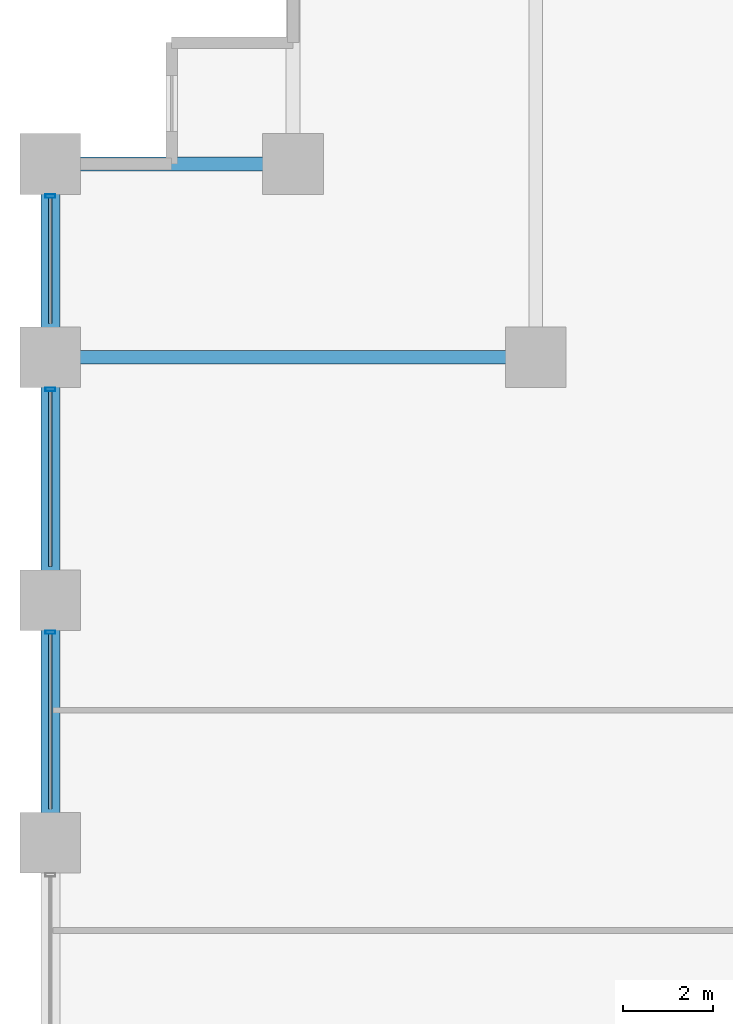
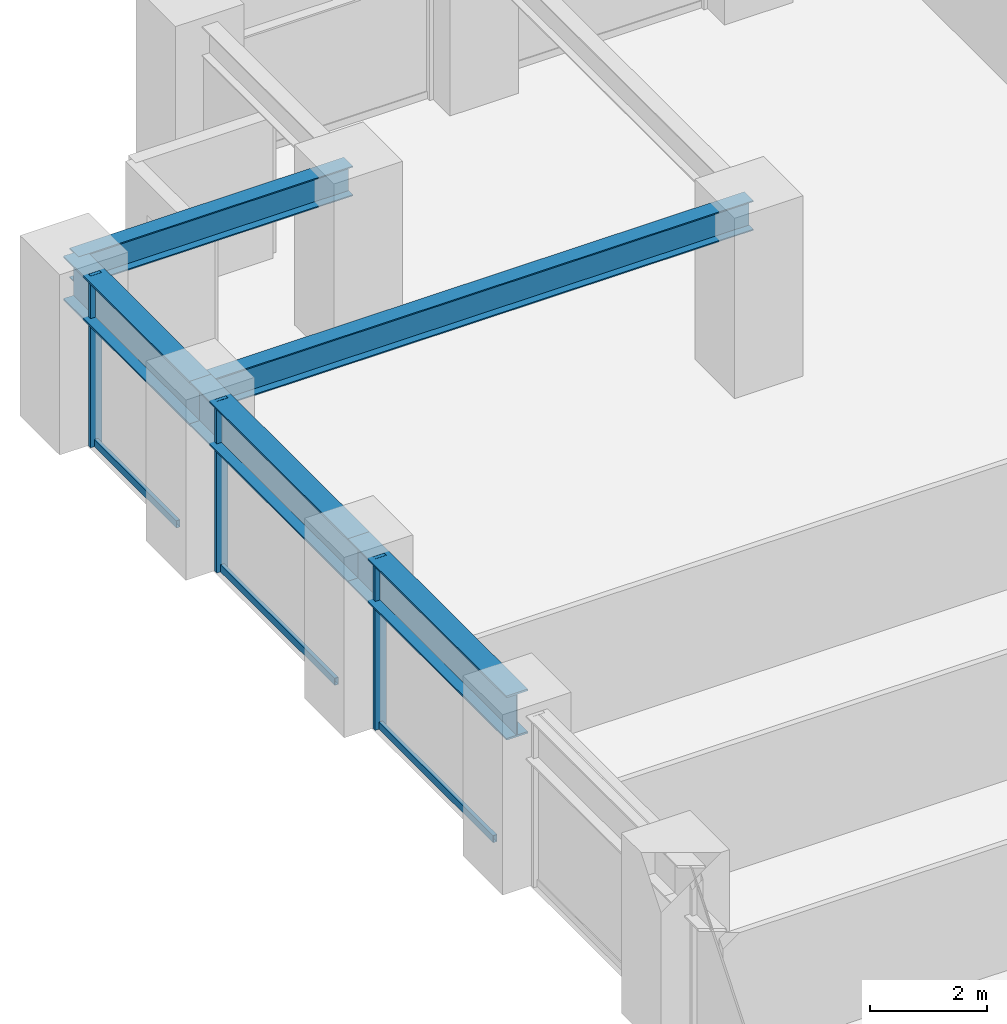
# One storey, part 10 of 25: 6 members, 5 beams, 1 element without a shape of its own.
"""IFC4 building model written with IfcOpenShell, lengths in metres."""

from ifc_helpers import new_model, si_unit, direction, frame, origin, origin_2d, place, context, subcontext, project, spatial, hollow_rectangle, i_section, extrude, material, layer, layer_set, material_profile, profile_set, type_object, element, aggregate, save


model = new_model("IFC4")

# Units and contexts
model_context = context("Model", 3, precision=1e-05, world=origin(), true_north=direction((0.0, 1.0)))
body_context = subcontext(model_context, "Body", "Model", "MODEL_VIEW")
ifc_project = project(units=[si_unit("LENGTHUNIT", "METRE"), si_unit("AREAUNIT", "SQUARE_METRE"), si_unit("VOLUMEUNIT", "CUBIC_METRE"), si_unit("PLANEANGLEUNIT", "RADIAN"), si_unit("MASSUNIT", "GRAM", prefix="KILO")], contexts=[model_context])

# Site, building, storey
site_placement = place(None, origin())
site = spatial("IfcSite", under=ifc_project, at=site_placement, CompositionType="ELEMENT")
building_placement = place(site_placement, origin())
building = spatial("IfcBuilding", under=site, at=building_placement, Name="Surkhivell Harbour Commons", CompositionType="ELEMENT")
storey_placement = place(building_placement, frame((0.0, 0.0, 37.5)))
storey = spatial("IfcBuildingStorey", under=building, at=storey_placement, Name="L09", CompositionType="ELEMENT", Elevation=37.5)

# Beams
ifc_material_1 = material(Name="Steel S355", Category="steel")
ifc_material_profile_1 = material_profile(ifc_material_1, i_section(OverallWidth=0.306884765625, OverallDepth=0.6201171875, WebThickness=0.01416015625, FlangeThickness=0.023681640625, at=origin_2d()), Name="UB610x305x179")
ifc_profile_set_1 = profile_set([ifc_material_profile_1], Name="Steel S355")
beam_type_1 = type_object("IfcBeamType", Name="BM-GRD-610A", PredefinedType="BEAM", material=ifc_profile_set_1)
beam_1_placement = place(storey_placement, frame((-32.39990234375, 16.199951171875, 3.260009765625), z_axis=(1.0, 0.0, 0.0), x_axis=(0.0, 1.0, 0.0)))
element("IfcBeam", 1, at=beam_1_placement, inside=storey, type_object=beam_type_1, Name="L09 Floor Girder (-32.4,16.2)", PredefinedType="BEAM", context=body_context, shape_type="SweptSolid", body=[
    extrude(i_section(OverallWidth=0.306884765625, OverallDepth=0.6201171875, WebThickness=0.01416015625, FlangeThickness=0.023681640625, at=origin_2d()), origin(), (0.0, 0.0, 1.0), 10.7998046875),
])
beam_2_placement = place(storey_placement, frame((-32.39990234375, 20.5, 3.260009765625), z_axis=(1.0, 0.0, 0.0), x_axis=(0.0, 1.0, 0.0)))
element("IfcBeam", 2, at=beam_2_placement, inside=storey, type_object=beam_type_1, Name="L09 Floor Girder (-32.4,20.5)", PredefinedType="BEAM", context=body_context, shape_type="SweptSolid", body=[
    extrude(i_section(OverallWidth=0.306884765625, OverallDepth=0.6201171875, WebThickness=0.01416015625, FlangeThickness=0.023681640625, at=origin_2d()), origin(), (0.0, 0.0, 1.0), 5.39990234375),
])
ifc_material_2 = material(Name="Steel S460", Category="steel")
ifc_material_profile_2 = material_profile(ifc_material_2, i_section(OverallWidth=0.419921875, OverallDepth=0.9208984375, WebThickness=0.021484375, FlangeThickness=0.03662109375, at=origin_2d()), Name="UB914x419x388")
ifc_profile_set_2 = profile_set([ifc_material_profile_2], Name="Steel S460")
beam_type_2 = type_object("IfcBeamType", Name="BM-SPN-914A", PredefinedType="SPANDREL", material=ifc_profile_set_2)
beam_3_placement = place(storey_placement, frame((-32.39990234375, 5.39990234375, 3.109619140625), z_axis=(0.0, 1.0, 0.0), x_axis=(-1.0, 0.0, 0.0)))
element("IfcBeam", 3, at=beam_3_placement, inside=storey, type_object=beam_type_2, Name="L09 Tube Spandrel (-32.4,5.4)", PredefinedType="SPANDREL", context=body_context, shape_type="SweptSolid", body=[
    extrude(i_section(OverallWidth=0.419921875, OverallDepth=0.9208984375, WebThickness=0.021484375, FlangeThickness=0.03662109375, at=origin_2d()), origin(), (0.0, 0.0, 1.0), 5.400146484375),
])
beam_4_placement = place(storey_placement, frame((-32.39990234375, 10.800048828125, 3.109619140625), z_axis=(0.0, 1.0, 0.0), x_axis=(-1.0, 0.0, 0.0)))
element("IfcBeam", 4, at=beam_4_placement, inside=storey, type_object=beam_type_2, Name="L09 Tube Spandrel (-32.4,10.8)", PredefinedType="SPANDREL", context=body_context, shape_type="SweptSolid", body=[
    extrude(i_section(OverallWidth=0.419921875, OverallDepth=0.9208984375, WebThickness=0.021484375, FlangeThickness=0.03662109375, at=origin_2d()), origin(), (0.0, 0.0, 1.0), 5.39990234375),
])
beam_5_placement = place(storey_placement, frame((-32.39990234375, 16.199951171875, 3.109619140625), z_axis=(0.0, 1.0, 0.0), x_axis=(-1.0, 0.0, 0.0)))
element("IfcBeam", 5, at=beam_5_placement, inside=storey, type_object=beam_type_2, Name="L09 Tube Spandrel (-32.4,16.2)", PredefinedType="SPANDREL", context=body_context, shape_type="SweptSolid", body=[
    extrude(i_section(OverallWidth=0.419921875, OverallDepth=0.9208984375, WebThickness=0.021484375, FlangeThickness=0.03662109375, at=origin_2d()), origin(), (0.0, 0.0, 1.0), 4.300048828125),
])

# Curtain wall, members
ifc_material_3 = material(Name="Anodised pale-metal aluminium and insulated glazing", Category="aluminium")
ifc_layer = layer(ifc_material_3, 0.219970703125)
ifc_layer_set = layer_set([ifc_layer], Name="Anodised pale-metal aluminium and insulated glazing")
curtain_wall_type = type_object("IfcCurtainWallType", Name="CW-SYS-Z1", PredefinedType="NOTDEFINED", material=ifc_layer_set)
curtain_wall_placement = place(storey_placement, origin())
curtain_wall = element("IfcCurtainWall", 6, at=curtain_wall_placement, inside=storey, type_object=curtain_wall_type, Name="L09 Curtain Wall CW-L09-E12S1", PredefinedType="NOTDEFINED")
ifc_material_4 = material(Name="Anodised pale-metal aluminium alloy 6063-T6", Category="aluminium")
ifc_material_profile_3 = material_profile(ifc_material_4, hollow_rectangle(XDim=0.074951171875, YDim=0.219970703125, WallThickness=0.00390625, at=origin_2d()), Name="ALU-MULL-75x220")
ifc_profile_set_3 = profile_set([ifc_material_profile_3], Name="Anodised pale-metal aluminium alloy 6063-T6")
member_type_1 = type_object("IfcMemberType", Name="CWM-220", PredefinedType="MULLION", material=ifc_profile_set_3)
member_1_placement = place(storey_placement, frame((-32.39990234375, 19.785400390625, 0.0), z_axis=(0.0, 0.0, 1.0), x_axis=(0.0, -1.0, 0.0)))
member_1 = element("IfcMember", 7, at=member_1_placement, type_object=member_type_1, Name="CW-Z1 mullion 1", PredefinedType="MULLION", context=body_context, shape_type="SweptSolid", body=[
    extrude(hollow_rectangle(XDim=0.074951171875, YDim=0.219970703125, WallThickness=0.00390625, at=origin_2d()), origin(), (0.0, 0.0, 1.0), 3.570068359375),
])
member_2_placement = place(storey_placement, frame((-32.39990234375, 15.485595703125, 0.0), z_axis=(0.0, 0.0, 1.0), x_axis=(0.0, -1.0, 0.0)))
member_2 = element("IfcMember", 8, at=member_2_placement, type_object=member_type_1, Name="CW-Z1 mullion 2", PredefinedType="MULLION", context=body_context, shape_type="SweptSolid", body=[
    extrude(hollow_rectangle(XDim=0.074951171875, YDim=0.219970703125, WallThickness=0.00390625, at=origin_2d()), origin(), (0.0, 0.0, 1.0), 3.570068359375),
])
member_3_placement = place(storey_placement, frame((-32.39990234375, 10.08544921875, 0.0), z_axis=(0.0, 0.0, 1.0), x_axis=(0.0, -1.0, 0.0)))
member_3 = element("IfcMember", 9, at=member_3_placement, type_object=member_type_1, Name="CW-Z1 mullion 3", PredefinedType="MULLION", context=body_context, shape_type="SweptSolid", body=[
    extrude(hollow_rectangle(XDim=0.074951171875, YDim=0.219970703125, WallThickness=0.00390625, at=origin_2d()), origin(), (0.0, 0.0, 1.0), 3.570068359375),
])
ifc_material_profile_4 = material_profile(ifc_material_4, hollow_rectangle(XDim=0.074951171875, YDim=0.14990234375, WallThickness=0.00341796875, at=origin_2d()), Name="ALU-TRAN-75x150")
ifc_profile_set_4 = profile_set([ifc_material_profile_4], Name="Anodised pale-metal aluminium alloy 6063-T6")
member_type_2 = type_object("IfcMemberType", Name="CWT-150", PredefinedType="USERDEFINED", material=ifc_profile_set_4)
member_4_placement = place(storey_placement, frame((-32.39990234375, 19.748046875, 0.074951171875), z_axis=(0.0, -1.0, 0.0), x_axis=(1.0, 0.0, 0.0)))
member_4 = element("IfcMember", 10, at=member_4_placement, type_object=member_type_2, Name="CW-Z1 transom 1.1", ObjectType="TRANSOM", PredefinedType="USERDEFINED", context=body_context, shape_type="SweptSolid", body=[
    extrude(hollow_rectangle(XDim=0.074951171875, YDim=0.14990234375, WallThickness=0.00341796875, at=origin_2d()), origin(), (0.0, 0.0, 1.0), 2.796142578125),
])
member_5_placement = place(storey_placement, frame((-32.39990234375, 15.447998046875, 0.074951171875), z_axis=(0.0, -1.0, 0.0), x_axis=(1.0, 0.0, 0.0)))
member_5 = element("IfcMember", 11, at=member_5_placement, type_object=member_type_2, Name="CW-Z1 transom 2.1", ObjectType="TRANSOM", PredefinedType="USERDEFINED", context=body_context, shape_type="SweptSolid", body=[
    extrude(hollow_rectangle(XDim=0.074951171875, YDim=0.14990234375, WallThickness=0.00341796875, at=origin_2d()), origin(), (0.0, 0.0, 1.0), 3.89599609375),
])
member_6_placement = place(storey_placement, frame((-32.39990234375, 10.048095703125, 0.074951171875), z_axis=(0.0, -1.0, 0.0), x_axis=(1.0, 0.0, 0.0)))
member_6 = element("IfcMember", 12, at=member_6_placement, type_object=member_type_2, Name="CW-Z1 transom 3.1", ObjectType="TRANSOM", PredefinedType="USERDEFINED", context=body_context, shape_type="SweptSolid", body=[
    extrude(hollow_rectangle(XDim=0.074951171875, YDim=0.14990234375, WallThickness=0.00341796875, at=origin_2d()), origin(), (0.0, 0.0, 1.0), 3.89599609375),
])
aggregate(curtain_wall, [member_1, member_4, member_2, member_5, member_3, member_6])

save(model, "model.ifc")
